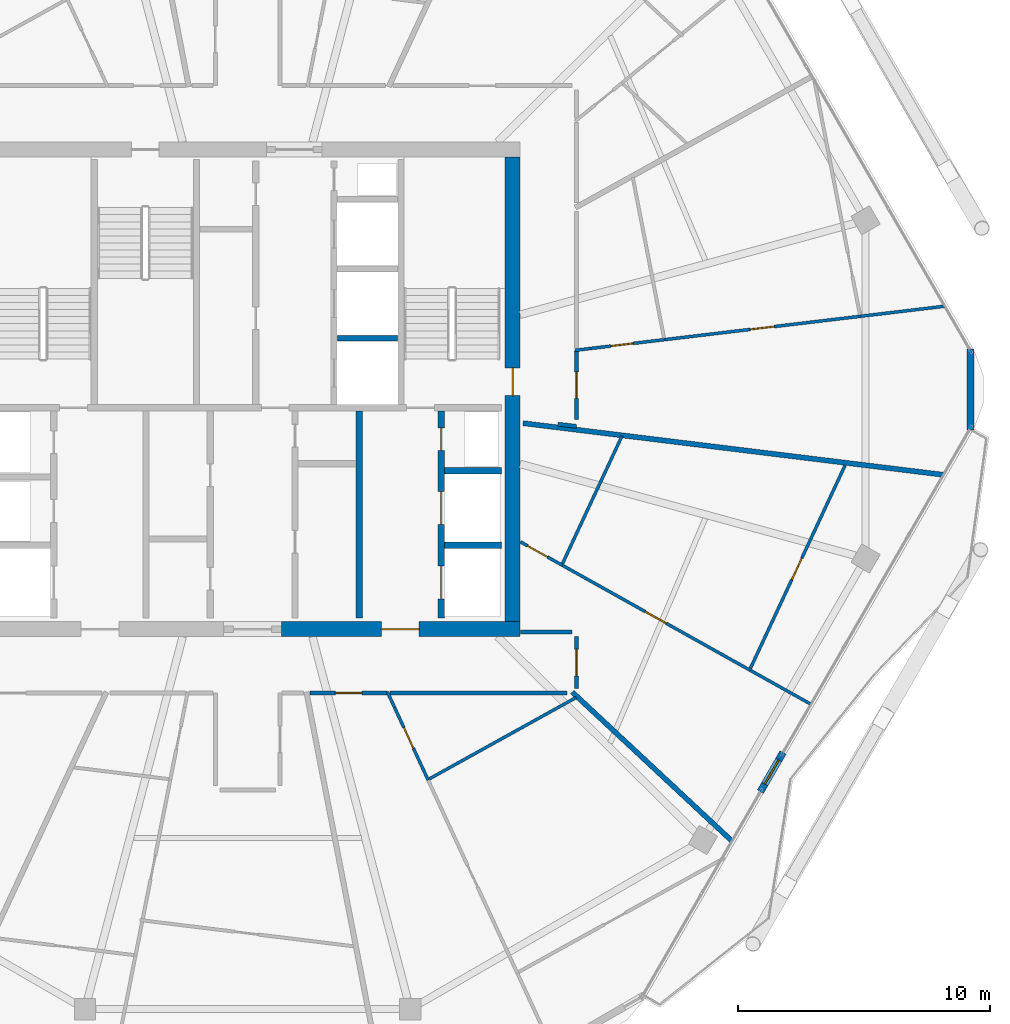
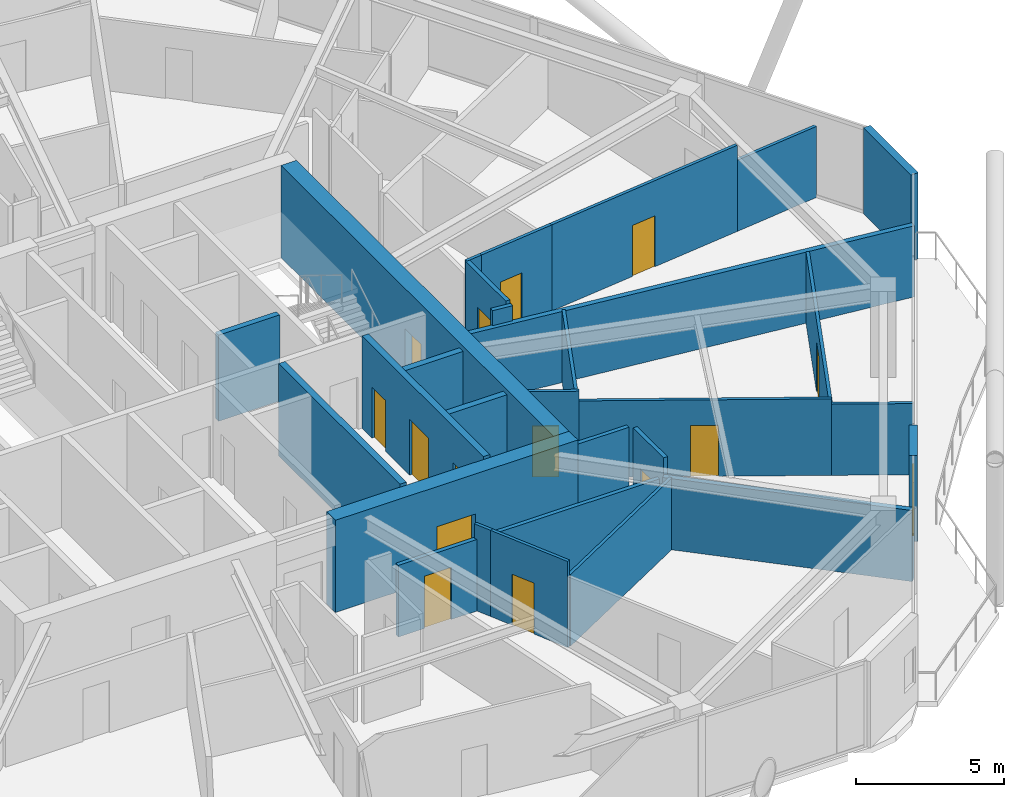
# One storey, part 22 of 29: 29 walls, 15 doors, 15 openings.
"""IFC4 building model written with IfcOpenShell, lengths in metres."""

from ifc_helpers import new_model, si_unit, direction, frame, frame_2d, origin, place, context, subcontext, project, spatial, rectangle, extrude, material, layer, layer_set, type_object, element, fill, save


model = new_model("IFC4")

# Units and contexts
model_context = context("Model", 3, precision=1e-05, world=origin(), true_north=direction((0.0, 1.0)))
body_context = subcontext(model_context, "Body", "Model", "MODEL_VIEW")
ifc_project = project(units=[si_unit("LENGTHUNIT", "METRE"), si_unit("AREAUNIT", "SQUARE_METRE"), si_unit("VOLUMEUNIT", "CUBIC_METRE"), si_unit("PLANEANGLEUNIT", "RADIAN"), si_unit("MASSUNIT", "GRAM", prefix="KILO")], contexts=[model_context])

# Site, building, storey
site_placement = place(None, origin())
site = spatial("IfcSite", under=ifc_project, at=site_placement, CompositionType="ELEMENT")
building_placement = place(site_placement, origin())
building = spatial("IfcBuilding", under=site, at=building_placement, Name="Zuhravey Tower", CompositionType="ELEMENT")
storey_placement = place(building_placement, frame((0.0, 0.0, 269.199951171875)))
storey = spatial("IfcBuildingStorey", under=building, at=storey_placement, Name="L68", CompositionType="ELEMENT", Elevation=269.199951171875)

# Wall, opening, door
ifc_material_1 = material(Name="Concrete C50/60", Category="concrete")
ifc_layer_1 = layer(ifc_material_1, 0.60009765625)
ifc_layer_set_1 = layer_set([ifc_layer_1], Name="Concrete C50/60")
wall_type_1 = type_object("IfcWallType", Name="Core Shear Wall 600", PredefinedType="SHEAR", material=ifc_layer_set_1)
wall_1_placement = place(storey_placement, frame((37.35009765625, 22.5, 0.0), z_axis=(0.0, 0.0, 1.0), x_axis=(1.0, 0.0, 0.0)))
wall_1 = element("IfcWall", 1, at=wall_1_placement, inside=storey, type_object=wall_type_1, Name="L68 South-East Core Shear Wall CW60", PredefinedType="SHEAR", context=body_context, shape_type="SweptSolid", body=[
    extrude(rectangle(XDim=9.449951171875, YDim=0.60009765625, at=frame_2d((4.72509765625, 0.0))), origin(), (0.0, 0.0, 1.0), 3.800048828125),
])
opening_1_placement = place(wall_1_placement, frame((3.949951171875, 0.0, 0.0)))
opening_1 = element("IfcOpeningElement", 2, at=opening_1_placement, cuts=wall_1, Name="Opening FFD1", PredefinedType="OPENING", context=body_context, shape_type="SweptSolid", body=[
    extrude(rectangle(XDim=1.5, YDim=2.14990234375, at=frame_2d((0.75, 1.074951171875))), frame((0.0, 0.31201171875, 0.0), z_axis=(0.0, -1.0, 0.0), x_axis=(1.0, 0.0, 0.0)), (0.0, 0.0, 1.0), 0.6240234375),
])
ifc_material_2 = material(Name="Galvanised fire-rated steel leaf", Category="steel")
door_type_1 = type_object("IfcDoorType", Name="Firefighting Lobby Double Door 1500x2150", OperationType="DOUBLE_DOOR_SINGLE_SWING", PredefinedType="DOOR", material=ifc_material_2)
door_1_placement = place(opening_1_placement, origin())
door_1 = element("IfcDoor", 3, at=door_1_placement, inside=storey, type_object=door_type_1, Name="L68 Firefighting Lobby East Door", OperationType="DOUBLE_DOOR_SINGLE_SWING", OverallHeight=2.14990234375, OverallWidth=1.5, PredefinedType="DOOR", context=body_context, shape_type="SweptSolid", body=[
    extrude(rectangle(XDim=1.5, YDim=2.14990234375, at=frame_2d((0.75, 1.074951171875))), frame((0.0, 0.02490234375, 0.0), z_axis=(0.0, -1.0, 0.0), x_axis=(1.0, 0.0, 0.0)), (0.0, 0.0, 1.0), 0.050048828125),
])
fill(opening_1, door_1)

wall_2_placement = place(storey_placement, frame((46.5, 22.800048828125, 0.0), z_axis=(0.0, 0.0, 1.0), x_axis=(0.0, 1.0, 0.0)))
wall_2 = element("IfcWall", 4, at=wall_2_placement, inside=storey, type_object=wall_type_1, Name="L68 East Core Shear Wall CW60", PredefinedType="SHEAR", context=body_context, shape_type="SweptSolid", body=[
    extrude(rectangle(XDim=18.39990234375, YDim=0.60009765625, at=frame_2d((9.199951171875, 0.0))), origin(), (0.0, 0.0, 1.0), 3.800048828125),
])
opening_2_placement = place(wall_2_placement, frame((8.949951171875, 0.0, 0.0)))
opening_2 = element("IfcOpeningElement", 5, at=opening_2_placement, cuts=wall_2, Name="Opening STD1", PredefinedType="OPENING", context=body_context, shape_type="SweptSolid", body=[
    extrude(rectangle(XDim=1.10009765625, YDim=2.14990234375, at=frame_2d((0.550048828125, 1.074951171875))), frame((0.0, 0.31201171875, 0.0), z_axis=(0.0, -1.0, 0.0), x_axis=(1.0, 0.0, 0.0)), (0.0, 0.0, 1.0), 0.6240234375),
])
door_type_2 = type_object("IfcDoorType", Name="Protected Stair Fire Door 1100x2150", OperationType="NOTDEFINED", PredefinedType="USERDEFINED", material=ifc_material_2)
door_2_placement = place(opening_2_placement, origin())
door_2 = element("IfcDoor", 6, at=door_2_placement, inside=storey, type_object=door_type_2, Name="L68 Stair ST2 Door", ObjectType="EXITDOOR", OperationType="SINGLE_SWING_LEFT", OverallHeight=2.14990234375, OverallWidth=1.10009765625, PredefinedType="USERDEFINED", context=body_context, shape_type="SweptSolid", body=[
    extrude(rectangle(XDim=1.10009765625, YDim=2.14990234375, at=frame_2d((0.550048828125, 1.074951171875))), frame((0.0, 0.02490234375, 0.0), z_axis=(0.0, -1.0, 0.0), x_axis=(1.0, 0.0, 0.0)), (0.0, 0.0, 1.0), 0.050048828125),
])
fill(opening_2, door_2)

ifc_material_3 = material(Name="Gypsum fire-rated stud partition")
ifc_layer_2 = layer(ifc_material_3, 0.159912109375)
ifc_layer_set_2 = layer_set([ifc_layer_2], Name="Gypsum fire-rated stud partition")
wall_type_2 = type_object("IfcWallType", Name="Corridor Fire Partition 160", PredefinedType="PARTITIONING", material=ifc_layer_set_2)
wall_3_placement = place(storey_placement, frame((38.468017578125, 19.969970703125, 0.0), z_axis=(0.0, 0.0, 1.0), x_axis=(1.0, 0.0, 0.0)))
wall_3 = element("IfcWall", 7, at=wall_3_placement, inside=storey, type_object=wall_type_2, Name="L68 IW16 Partition 046", PredefinedType="PARTITIONING", context=body_context, shape_type="SweptSolid", body=[
    extrude(rectangle(XDim=3.068603515625, YDim=0.159912109375, at=frame_2d((1.5341796875, 0.0))), origin(), (0.0, 0.0, 1.0), 2.949951171875),
])
opening_3_placement = place(wall_3_placement, frame((1.00927734375, 0.0, 0.0)))
opening_3 = element("IfcOpeningElement", 8, at=opening_3_placement, cuts=wall_3, Name="Opening APD1", PredefinedType="OPENING", context=body_context, shape_type="SweptSolid", body=[
    extrude(rectangle(XDim=1.050048828125, YDim=2.14990234375, at=frame_2d((0.52490234375, 1.074951171875))), frame((0.0, 0.092041015625, 0.0), z_axis=(0.0, -1.0, 0.0), x_axis=(1.0, 0.0, 0.0)), (0.0, 0.0, 1.0), 0.183837890625),
])
ifc_material_4 = material(Name="Solid-core oak fire-rated leaf")
door_type_3 = type_object("IfcDoorType", Name="Apartment Entrance Fire Door 1050x2150", OperationType="NOTDEFINED", PredefinedType="DOOR", material=ifc_material_4)
door_3_placement = place(opening_3_placement, frame((1.050048828125, 0.0, 0.0), z_axis=(0.0, 0.0, 1.0), x_axis=(-1.0, 0.0, 0.0)))
door_3 = element("IfcDoor", 9, at=door_3_placement, inside=storey, type_object=door_type_3, Name="L68 Door 046.1", OperationType="SINGLE_SWING_LEFT", OverallHeight=2.14990234375, OverallWidth=1.050048828125, PredefinedType="DOOR", context=body_context, shape_type="SweptSolid", body=[
    extrude(rectangle(XDim=1.050048828125, YDim=2.14990234375, at=frame_2d((0.52490234375, 1.074951171875))), frame((0.0, 0.02490234375, 0.0), z_axis=(0.0, -1.0, 0.0), x_axis=(1.0, 0.0, 0.0)), (0.0, 0.0, 1.0), 0.050048828125),
])
fill(opening_3, door_3)

wall_4_placement = place(storey_placement, frame((49.030029296875, 20.14990234375, 0.0), z_axis=(0.0, 0.0, 1.0), x_axis=(0.0, 1.0, 0.0)))
wall_4 = element("IfcWall", 10, at=wall_4_placement, inside=storey, type_object=wall_type_2, Name="L68 IW16 Partition 050", PredefinedType="PARTITIONING", context=body_context, shape_type="SweptSolid", body=[
    extrude(rectangle(XDim=2.050048828125, YDim=0.159912109375, at=frame_2d((1.02490234375, 0.0))), origin(), (0.0, 0.0, 1.0), 3.550048828125),
])
opening_4_placement = place(wall_4_placement, frame((0.5, 0.0, 0.0)))
opening_4 = element("IfcOpeningElement", 11, at=opening_4_placement, cuts=wall_4, Name="Opening APD1", PredefinedType="OPENING", context=body_context, shape_type="SweptSolid", body=[
    extrude(rectangle(XDim=1.050048828125, YDim=2.14990234375, at=frame_2d((0.52490234375, 1.074951171875))), frame((0.0, 0.092041015625, 0.0), z_axis=(0.0, -1.0, 0.0), x_axis=(1.0, 0.0, 0.0)), (0.0, 0.0, 1.0), 0.183837890625),
])
door_4_placement = place(opening_4_placement, frame((1.050048828125, 0.0, 0.0), z_axis=(0.0, 0.0, 1.0), x_axis=(-1.0, 0.0, 0.0)))
door_4 = element("IfcDoor", 12, at=door_4_placement, inside=storey, type_object=door_type_3, Name="L68 Door 050.1", OperationType="SINGLE_SWING_LEFT", OverallHeight=2.14990234375, OverallWidth=1.050048828125, PredefinedType="DOOR", context=body_context, shape_type="SweptSolid", body=[
    extrude(rectangle(XDim=1.050048828125, YDim=2.14990234375, at=frame_2d((0.52490234375, 1.074951171875))), frame((0.0, 0.02490234375, 0.0), z_axis=(0.0, -1.0, 0.0), x_axis=(1.0, 0.0, 0.0)), (0.0, 0.0, 1.0), 0.050048828125),
])
fill(opening_4, door_4)

wall_5_placement = place(storey_placement, frame((49.030029296875, 30.800048828125, 0.0), z_axis=(0.0, 0.0, 1.0), x_axis=(0.0, 1.0, 0.0)))
wall_5 = element("IfcWall", 13, at=wall_5_placement, inside=storey, type_object=wall_type_2, Name="L68 IW16 Partition 054", PredefinedType="PARTITIONING", context=body_context, shape_type="SweptSolid", body=[
    extrude(rectangle(XDim=2.733642578125, YDim=0.159912109375, at=frame_2d((1.36669921875, 0.0))), origin(), (0.0, 0.0, 1.0), 3.550048828125),
])
opening_5_placement = place(wall_5_placement, frame((0.841796875, 0.0, 0.0)))
opening_5 = element("IfcOpeningElement", 14, at=opening_5_placement, cuts=wall_5, Name="Opening APD1", PredefinedType="OPENING", context=body_context, shape_type="SweptSolid", body=[
    extrude(rectangle(XDim=1.050048828125, YDim=2.14990234375, at=frame_2d((0.52490234375, 1.074951171875))), frame((0.0, 0.092041015625, 0.0), z_axis=(0.0, -1.0, 0.0), x_axis=(1.0, 0.0, 0.0)), (0.0, 0.0, 1.0), 0.183837890625),
])
door_5_placement = place(opening_5_placement, frame((1.050048828125, 0.0, 0.0), z_axis=(0.0, 0.0, 1.0), x_axis=(-1.0, 0.0, 0.0)))
door_5 = element("IfcDoor", 15, at=door_5_placement, inside=storey, type_object=door_type_3, Name="L68 Door 054.1", OperationType="SINGLE_SWING_LEFT", OverallHeight=2.14990234375, OverallWidth=1.050048828125, PredefinedType="DOOR", context=body_context, shape_type="SweptSolid", body=[
    extrude(rectangle(XDim=1.050048828125, YDim=2.14990234375, at=frame_2d((0.52490234375, 1.074951171875))), frame((0.0, 0.02490234375, 0.0), z_axis=(0.0, -1.0, 0.0), x_axis=(1.0, 0.0, 0.0)), (0.0, 0.0, 1.0), 0.050048828125),
])
fill(opening_5, door_5)

# Walls
wall_6_placement = place(storey_placement, frame((41.633544921875, 19.969970703125, 0.0), z_axis=(0.0, 0.0, 1.0), x_axis=(1.0, 0.0, 0.0)))
element("IfcWall", 16, at=wall_6_placement, inside=storey, type_object=wall_type_2, Name="L68 IW16 Partition 123", PredefinedType="PARTITIONING", context=body_context, shape_type="SweptSolid", body=[
    extrude(rectangle(XDim=7.014404296875, YDim=0.159912109375, at=frame_2d((3.50732421875, 0.0))), origin(), (0.0, 0.0, 1.0), 2.949951171875),
])
wall_7_placement = place(storey_placement, frame((48.85009765625, 22.3798828125, 0.0), z_axis=(0.0, 0.0, 1.0), x_axis=(-1.0, 0.0, 0.0)))
element("IfcWall", 17, at=wall_7_placement, inside=storey, type_object=wall_type_2, Name="L68 IW16 Partition 124", PredefinedType="PARTITIONING", context=body_context, shape_type="SweptSolid", body=[
    extrude(rectangle(XDim=2.030029296875, YDim=0.159912109375, at=frame_2d((1.01513671875, 0.0))), origin(), (0.0, 0.0, 1.0), 3.550048828125),
])
wall_8_placement = place(storey_placement, frame((49.030029296875, 30.53564453125, 0.0), z_axis=(0.0, 0.0, 1.0), x_axis=(-0.993568487463, 0.113232772287, 0.0)))
element("IfcWall", 18, at=wall_8_placement, inside=storey, type_object=wall_type_2, Name="L68 IW16 Partition 125", PredefinedType="PARTITIONING", context=body_context, shape_type="SweptSolid", body=[
    extrude(rectangle(XDim=0.74609375, YDim=0.159912109375, at=frame_2d((0.373046875, 0.0))), origin(), (0.0, 0.0, 1.0), 3.550048828125),
])

# Wall, opening, door
ifc_material_5 = material(Name="Precast concrete C40/50", Category="concrete")
ifc_layer_3 = layer(ifc_material_5, 0.280029296875)
ifc_layer_set_3 = layer_set([ifc_layer_3], Name="Precast concrete C40/50")
wall_type_3 = type_object("IfcWallType", Name="Crown Architectural Wall 280", PredefinedType="SOLIDWALL", material=ifc_layer_set_3)
wall_9_placement = place(storey_placement, frame((57.21240234375, 17.613525390625, 0.0), z_axis=(0.0, 0.0, 1.0), x_axis=(-0.499982180423, -0.866035691677, 0.0)))
wall_9 = element("IfcWall", 19, at=wall_9_placement, inside=storey, type_object=wall_type_3, Name="L68 Face 6 Facade Pier EW28-1", PredefinedType="SOLIDWALL", context=body_context, shape_type="SweptSolid", body=[
    extrude(rectangle(XDim=1.7900390625, YDim=0.280029296875, at=frame_2d((0.89501953125, 0.0))), origin(), (0.0, 0.0, 1.0), 3.550048828125),
])
opening_6_placement = place(wall_9_placement, frame((0.344970703125, 0.0, 0.0)))
opening_6 = element("IfcOpeningElement", 20, at=opening_6_placement, cuts=wall_9, Name="Opening BLD1", PredefinedType="OPENING", context=body_context, shape_type="SweptSolid", body=[
    extrude(rectangle(XDim=1.10009765625, YDim=2.199951171875, at=frame_2d((0.550048828125, 1.10009765625))), frame((0.0, 0.152099609375, 0.0), z_axis=(0.0, -1.0, 0.0), x_axis=(1.0, 0.0, 0.0)), (0.0, 0.0, 1.0), 0.303955078125),
])
ifc_material_6 = material(Name="Thermally broken aluminium and low-E glass", Category="aluminium")
door_type_4 = type_object("IfcDoorType", Name="Balcony & Sky-Tray Glazed Door 1100x2200", OperationType="NOTDEFINED", PredefinedType="DOOR", material=ifc_material_6)
door_6_placement = place(opening_6_placement, frame((1.10009765625, 0.0, 0.0), z_axis=(0.0, 0.0, 1.0), x_axis=(-1.0, 0.0, 0.0)))
door_6 = element("IfcDoor", 21, at=door_6_placement, inside=storey, type_object=door_type_4, Name="L68 Face 6 Wave Balcony Door", OperationType="SINGLE_SWING_LEFT", OverallHeight=2.199951171875, OverallWidth=1.10009765625, PredefinedType="DOOR", context=body_context, shape_type="SweptSolid", body=[
    extrude(rectangle(XDim=1.10009765625, YDim=2.199951171875, at=frame_2d((0.550048828125, 1.10009765625))), frame((0.0, 0.02490234375, 0.0), z_axis=(0.0, -1.0, 0.0), x_axis=(1.0, 0.0, 0.0)), (0.0, 0.0, 1.0), 0.050048828125),
])
fill(opening_6, door_6)

# Walls
wall_10_placement = place(storey_placement, frame((64.64501953125, 33.607421875, 0.0), z_axis=(0.0, 0.0, 1.0), x_axis=(0.0, -1.0, 0.0)))
element("IfcWall", 22, at=wall_10_placement, inside=storey, type_object=wall_type_3, Name="L68 Rounded Corner Closure Wall EW28-12", PredefinedType="SOLIDWALL", context=body_context, shape_type="SweptSolid", body=[
    extrude(rectangle(XDim=3.21484375, YDim=0.280029296875, at=frame_2d((1.607421875, 0.0))), origin(), (0.0, 0.0, 1.0), 3.550048828125),
])
ifc_layer_4 = layer(ifc_material_1, 0.25)
ifc_layer_set_4 = layer_set([ifc_layer_4], Name="Concrete C50/60")
wall_type_4 = type_object("IfcWallType", Name="Firefighting Shaft & Stair Wall 250", PredefinedType="SOLIDWALL", material=ifc_layer_set_4)
wall_11_placement = place(storey_placement, frame((40.425048828125, 22.949951171875, 0.0), z_axis=(0.0, 0.0, 1.0), x_axis=(0.0, 1.0, 0.0)))
element("IfcWall", 23, at=wall_11_placement, inside=storey, type_object=wall_type_4, Name="L68 FW25 Shaft Wall 017", PredefinedType="SOLIDWALL", context=body_context, shape_type="SweptSolid", body=[
    extrude(rectangle(XDim=8.199951171875, YDim=0.25, at=frame_2d((4.10009765625, 0.0))), origin(), (0.0, 0.0, 1.0), 3.800048828125),
])
for number, where, z_axis, x_axis, name in (
    (24, (43.800048828125, 25.824951171875, 0.0), (0.0, 0.0, 1.0), (1.0, 0.0, 0.0), "L68 FW25 Shaft Wall 018"),
    (25, (43.800048828125, 28.77490234375, 0.0), (0.0, 0.0, 1.0), (1.0, 0.0, 0.0), "L68 FW25 Shaft Wall 019"),
):
    element("IfcWall", number, at=place(storey_placement, frame(where, z_axis=z_axis, x_axis=x_axis)), inside=storey, type_object=wall_type_4, Name=name, PredefinedType="SOLIDWALL", context=body_context, shape_type="SweptSolid", body=[
        extrude(rectangle(XDim=2.25, YDim=0.25, at=frame_2d((1.125, 0.0))), origin(), (0.0, 0.0, 1.0), 3.800048828125),
    ])

# Wall, openings, doors
wall_12_placement = place(storey_placement, frame((43.675048828125, 22.949951171875, 0.0), z_axis=(0.0, 0.0, 1.0), x_axis=(0.0, 1.0, 0.0)))
wall_12 = element("IfcWall", 26, at=wall_12_placement, inside=storey, type_object=wall_type_4, Name="L68 FW25 Shaft Wall 020", PredefinedType="SOLIDWALL", context=body_context, shape_type="SweptSolid", body=[
    extrude(rectangle(XDim=8.199951171875, YDim=0.25, at=frame_2d((4.10009765625, 0.0))), origin(), (0.0, 0.0, 1.0), 3.800048828125),
])
opening_7_placement = place(wall_12_placement, frame((0.75, 0.0, 0.0)))
opening_7 = element("IfcOpeningElement", 27, at=opening_7_placement, cuts=wall_12, Name="Opening LD2", PredefinedType="OPENING", context=body_context, shape_type="SweptSolid", body=[
    extrude(rectangle(XDim=1.300048828125, YDim=2.300048828125, at=frame_2d((0.64990234375, 1.14990234375))), frame((0.0, 0.136962890625, 0.0), z_axis=(0.0, -1.0, 0.0), x_axis=(1.0, 0.0, 0.0)), (0.0, 0.0, 1.0), 0.27392578125),
])
opening_8_placement = place(wall_12_placement, frame((3.699951171875, 0.0, 0.0)))
opening_8 = element("IfcOpeningElement", 28, at=opening_8_placement, cuts=wall_12, Name="Opening LD2", PredefinedType="OPENING", context=body_context, shape_type="SweptSolid", body=[
    extrude(rectangle(XDim=1.300048828125, YDim=2.300048828125, at=frame_2d((0.64990234375, 1.14990234375))), frame((0.0, 0.136962890625, 0.0), z_axis=(0.0, -1.0, 0.0), x_axis=(1.0, 0.0, 0.0)), (0.0, 0.0, 1.0), 0.27392578125),
])
opening_9_placement = place(wall_12_placement, frame((6.6201171875, 0.0, 0.0)))
opening_9 = element("IfcOpeningElement", 29, at=opening_9_placement, cuts=wall_12, Name="Opening RSD1", PredefinedType="OPENING", context=body_context, shape_type="SweptSolid", body=[
    extrude(rectangle(XDim=0.89990234375, YDim=2.10009765625, at=frame_2d((0.449951171875, 1.050048828125))), frame((0.0, 0.136962890625, 0.0), z_axis=(0.0, -1.0, 0.0), x_axis=(1.0, 0.0, 0.0)), (0.0, 0.0, 1.0), 0.27392578125),
])
ifc_material_7 = material(Name="Brushed stainless steel", Category="steel")
door_type_5 = type_object("IfcDoorType", Name="Freight & Stretcher Lift Sliding Door 1300x2300", OperationType="DOUBLE_DOOR_SLIDING", PredefinedType="DOOR", material=ifc_material_7)
door_7_placement = place(opening_7_placement, origin())
door_7 = element("IfcDoor", 30, at=door_7_placement, inside=storey, type_object=door_type_5, Name="L68 Lift FF2 Landing Door", OperationType="DOUBLE_DOOR_SLIDING", OverallHeight=2.300048828125, OverallWidth=1.300048828125, PredefinedType="DOOR", context=body_context, shape_type="SweptSolid", body=[
    extrude(rectangle(XDim=1.300048828125, YDim=2.300048828125, at=frame_2d((0.64990234375, 1.14990234375))), frame((0.0, 0.02490234375, 0.0), z_axis=(0.0, -1.0, 0.0), x_axis=(1.0, 0.0, 0.0)), (0.0, 0.0, 1.0), 0.050048828125),
])
fill(opening_7, door_7)
door_8_placement = place(opening_8_placement, origin())
door_8 = element("IfcDoor", 31, at=door_8_placement, inside=storey, type_object=door_type_5, Name="L68 Lift SV1 Landing Door", OperationType="DOUBLE_DOOR_SLIDING", OverallHeight=2.300048828125, OverallWidth=1.300048828125, PredefinedType="DOOR", context=body_context, shape_type="SweptSolid", body=[
    extrude(rectangle(XDim=1.300048828125, YDim=2.300048828125, at=frame_2d((0.64990234375, 1.14990234375))), frame((0.0, 0.02490234375, 0.0), z_axis=(0.0, -1.0, 0.0), x_axis=(1.0, 0.0, 0.0)), (0.0, 0.0, 1.0), 0.050048828125),
])
fill(opening_8, door_8)
ifc_material_8 = material(Name="Galvanised fire-rated steel access leaf", Category="steel")
door_type_6 = type_object("IfcDoorType", Name="Riser & Shaft Access Fire Door 900x2100", OperationType="NOTDEFINED", PredefinedType="DOOR", material=ifc_material_8)
door_9_placement = place(opening_9_placement, origin())
door_9 = element("IfcDoor", 32, at=door_9_placement, inside=storey, type_object=door_type_6, Name="L68 Plumbing Riser Door", OperationType="SINGLE_SWING_LEFT", OverallHeight=2.10009765625, OverallWidth=0.89990234375, PredefinedType="DOOR", context=body_context, shape_type="SweptSolid", body=[
    extrude(rectangle(XDim=0.89990234375, YDim=2.10009765625, at=frame_2d((0.449951171875, 1.050048828125))), frame((0.0, 0.02490234375, 0.0), z_axis=(0.0, -1.0, 0.0), x_axis=(1.0, 0.0, 0.0)), (0.0, 0.0, 1.0), 0.050048828125),
])
fill(opening_9, door_9)

# Walls
ifc_material_9 = material(Name="Gypsum double-stud party assembly")
ifc_layer_5 = layer(ifc_material_9, 0.199951171875)
ifc_layer_set_5 = layer_set([ifc_layer_5], Name="Gypsum double-stud party assembly")
wall_type_5 = type_object("IfcWallType", Name="Inter-Tenancy Party Wall 200", PredefinedType="PARTITIONING", material=ifc_layer_set_5)
wall_13_placement = place(storey_placement, frame((48.857421875, 20.010498046875, 0.0), z_axis=(0.0, 0.0, 1.0), x_axis=(0.731342217011, -0.682010675589, 0.0)))
element("IfcWall", 33, at=wall_13_placement, inside=storey, type_object=wall_type_5, Name="L68 IW20 Partition 094", PredefinedType="PARTITIONING", context=body_context, shape_type="SweptSolid", body=[
    extrude(rectangle(XDim=8.65576171875, YDim=0.199951171875, at=frame_2d((4.327880859375, 0.0))), origin(), (0.0, 0.0, 1.0), 2.929931640625),
])
wall_14_placement = place(storey_placement, frame((46.913330078125, 30.659912109375, 0.0), z_axis=(0.0, 0.0, 1.0), x_axis=(0.992546420308, -0.121867155269, 0.0)))
element("IfcWall", 34, at=wall_14_placement, inside=storey, type_object=wall_type_5, Name="L68 IW20 Partition 097", PredefinedType="PARTITIONING", context=body_context, shape_type="SweptSolid", body=[
    extrude(rectangle(XDim=16.77587890625, YDim=0.199951171875, at=frame_2d((8.387939453125, 0.0))), origin(), (0.0, 0.0, 1.0), 2.929931640625),
])
ifc_material_10 = material(Name="Gypsum acoustic stud assembly")
ifc_layer_6 = layer(ifc_material_10, 0.219970703125)
ifc_layer_set_6 = layer_set([ifc_layer_6], Name="Gypsum acoustic stud assembly")
wall_type_6 = type_object("IfcWallType", Name="School Acoustic Compartment Wall 220", PredefinedType="PARTITIONING", material=ifc_layer_set_6)
wall_15_placement = place(storey_placement, frame((39.55810546875, 34.02490234375, 0.0), z_axis=(0.0, 0.0, 1.0), x_axis=(1.0, 0.0, 0.0)))
element("IfcWall", 35, at=wall_15_placement, inside=storey, type_object=wall_type_6, Name="L68 IW22 Partition 071", PredefinedType="PARTITIONING", context=body_context, shape_type="SweptSolid", body=[
    extrude(rectangle(XDim=2.3837890625, YDim=0.219970703125, at=frame_2d((1.19189453125, 0.0))), origin(), (0.0, 0.0, 1.0), 3.550048828125),
])

# Wall, opening, door
ifc_material_11 = material(Name="Gypsum metal-stud partition")
ifc_layer_7 = layer(ifc_material_11, 0.1201171875)
ifc_layer_set_7 = layer_set([ifc_layer_7], Name="Gypsum metal-stud partition")
wall_type_7 = type_object("IfcWallType", Name="Unit Internal Partition 120", PredefinedType="PARTITIONING", material=ifc_layer_set_7)
wall_16_placement = place(storey_placement, frame((41.822021484375, 19.39990234375, 0.0), z_axis=(0.0, 0.0, 1.0), x_axis=(0.419438119549, -0.907783930167, 0.0)))
wall_16 = element("IfcWall", 36, at=wall_16_placement, inside=storey, type_object=wall_type_7, Name="L68 IW12 Partition 043", PredefinedType="PARTITIONING", context=body_context, shape_type="SweptSolid", body=[
    extrude(rectangle(XDim=3.177978515625, YDim=0.1201171875, at=frame_2d((1.5888671875, 0.0))), origin(), (0.0, 0.0, 1.0), 3.550048828125),
])
opening_10_placement = place(wall_16_placement, frame((0.884765625, 0.0, 0.0)))
opening_10 = element("IfcOpeningElement", 37, at=opening_10_placement, cuts=wall_16, Name="Opening WCD1", PredefinedType="OPENING", context=body_context, shape_type="SweptSolid", body=[
    extrude(rectangle(XDim=0.89990234375, YDim=2.10009765625, at=frame_2d((0.449951171875, 1.050048828125))), frame((0.0, 0.072021484375, 0.0), z_axis=(0.0, -1.0, 0.0), x_axis=(1.0, 0.0, 0.0)), (0.0, 0.0, 1.0), 0.14404296875),
])
ifc_material_12 = material(Name="Moisture-resistant timber leaf", Category="wood")
door_type_7 = type_object("IfcDoorType", Name="Bathroom & WC Internal Door 900x2100", OperationType="NOTDEFINED", PredefinedType="DOOR", material=ifc_material_12)
door_10_placement = place(opening_10_placement, origin())
door_10 = element("IfcDoor", 38, at=door_10_placement, inside=storey, type_object=door_type_7, Name="Apartment L68-05 Bathroom Door", OperationType="SINGLE_SWING_RIGHT", OverallHeight=2.10009765625, OverallWidth=0.89990234375, PredefinedType="DOOR", context=body_context, shape_type="SweptSolid", body=[
    extrude(rectangle(XDim=0.89990234375, YDim=2.10009765625, at=frame_2d((0.449951171875, 1.050048828125))), frame((0.0, 0.02490234375, 0.0), z_axis=(0.0, -1.0, 0.0), x_axis=(1.0, 0.0, 0.0)), (0.0, 0.0, 1.0), 0.050048828125),
])
fill(opening_10, door_10)

wall_17_placement = place(storey_placement, frame((46.80810546875, 25.959716796875, 0.0), z_axis=(0.0, 0.0, 1.0), x_axis=(0.872879297485, -0.487936196672, 0.0)))
wall_17 = element("IfcWall", 39, at=wall_17_placement, inside=storey, type_object=wall_type_7, Name="L68 IW12 Partition 047", PredefinedType="PARTITIONING", context=body_context, shape_type="SweptSolid", body=[
    extrude(rectangle(XDim=1.90576171875, YDim=0.1201171875, at=frame_2d((0.952880859375, 0.0))), origin(), (0.0, 0.0, 1.0), 3.550048828125),
])
opening_11_placement = place(wall_17_placement, frame((0.32861328125, 0.0, 0.0)))
opening_11 = element("IfcOpeningElement", 40, at=opening_11_placement, cuts=wall_17, Name="Opening WCD1", PredefinedType="OPENING", context=body_context, shape_type="SweptSolid", body=[
    extrude(rectangle(XDim=0.89990234375, YDim=2.10009765625, at=frame_2d((0.449951171875, 1.050048828125))), frame((0.0, 0.072021484375, 0.0), z_axis=(0.0, -1.0, 0.0), x_axis=(1.0, 0.0, 0.0)), (0.0, 0.0, 1.0), 0.14404296875),
])
door_11_placement = place(opening_11_placement, origin())
door_11 = element("IfcDoor", 41, at=door_11_placement, inside=storey, type_object=door_type_7, Name="Apartment L68-06 Bathroom Door", OperationType="SINGLE_SWING_RIGHT", OverallHeight=2.10009765625, OverallWidth=0.89990234375, PredefinedType="DOOR", context=body_context, shape_type="SweptSolid", body=[
    extrude(rectangle(XDim=0.89990234375, YDim=2.10009765625, at=frame_2d((0.449951171875, 1.050048828125))), frame((0.0, 0.02490234375, 0.0), z_axis=(0.0, -1.0, 0.0), x_axis=(1.0, 0.0, 0.0)), (0.0, 0.0, 1.0), 0.050048828125),
])
fill(opening_11, door_11)

wall_18_placement = place(storey_placement, frame((48.4716796875, 25.02978515625, 0.0), z_axis=(0.0, 0.0, 1.0), x_axis=(0.872916935633, -0.487868858901, 0.0)))
wall_18 = element("IfcWall", 42, at=wall_18_placement, inside=storey, type_object=wall_type_7, Name="L68 IW12 Partition 048", PredefinedType="PARTITIONING", context=body_context, shape_type="SweptSolid", body=[
    extrude(rectangle(XDim=8.524169921875, YDim=0.1201171875, at=frame_2d((4.26220703125, 0.0))), origin(), (0.0, 0.0, 1.0), 3.150146484375),
])
opening_12_placement = place(wall_18_placement, frame((3.761962890625, 0.0, 0.0)))
opening_12 = element("IfcOpeningElement", 43, at=opening_12_placement, cuts=wall_18, Name="Opening IND1", PredefinedType="OPENING", context=body_context, shape_type="SweptSolid", body=[
    extrude(rectangle(XDim=0.949951171875, YDim=2.10009765625, at=frame_2d((0.47509765625, 1.050048828125))), frame((0.0, 0.072021484375, 0.0), z_axis=(0.0, -1.0, 0.0), x_axis=(1.0, 0.0, 0.0)), (0.0, 0.0, 1.0), 0.14404296875),
])
ifc_material_13 = material(Name="Painted engineered timber leaf", Category="wood")
door_type_8 = type_object("IfcDoorType", Name="Internal Room & Bedroom Door 950x2100", OperationType="NOTDEFINED", PredefinedType="DOOR", material=ifc_material_13)
door_12_placement = place(opening_12_placement, origin())
door_12 = element("IfcDoor", 44, at=door_12_placement, inside=storey, type_object=door_type_8, Name="Apartment L68-06 Home Office Door", OperationType="SINGLE_SWING_LEFT", OverallHeight=2.10009765625, OverallWidth=0.949951171875, PredefinedType="DOOR", context=body_context, shape_type="SweptSolid", body=[
    extrude(rectangle(XDim=0.949951171875, YDim=2.10009765625, at=frame_2d((0.47509765625, 1.050048828125))), frame((0.0, 0.02490234375, 0.0), z_axis=(0.0, -1.0, 0.0), x_axis=(1.0, 0.0, 0.0)), (0.0, 0.0, 1.0), 0.050048828125),
])
fill(opening_12, door_12)

wall_19_placement = place(storey_placement, frame((55.919677734375, 20.9453125, 0.0), z_axis=(0.0, 0.0, 1.0), x_axis=(0.422606705523, 0.9063131757, 0.0)))
wall_19 = element("IfcWall", 45, at=wall_19_placement, inside=storey, type_object=wall_type_7, Name="L68 IW12 Partition 049", PredefinedType="PARTITIONING", context=body_context, shape_type="SweptSolid", body=[
    extrude(rectangle(XDim=8.87060546875, YDim=0.1201171875, at=frame_2d((4.435302734375, 0.0))), origin(), (0.0, 0.0, 1.0), 2.949951171875),
])
opening_13_placement = place(wall_19_placement, frame((3.876220703125, 0.0, 0.0)))
opening_13 = element("IfcOpeningElement", 46, at=opening_13_placement, cuts=wall_19, Name="Opening IND1", PredefinedType="OPENING", context=body_context, shape_type="SweptSolid", body=[
    extrude(rectangle(XDim=0.949951171875, YDim=2.10009765625, at=frame_2d((0.47509765625, 1.050048828125))), frame((0.0, 0.072021484375, 0.0), z_axis=(0.0, -1.0, 0.0), x_axis=(1.0, 0.0, 0.0)), (0.0, 0.0, 1.0), 0.14404296875),
])
door_13_placement = place(opening_13_placement, frame((0.949951171875, 0.0, 0.0), z_axis=(0.0, 0.0, 1.0), x_axis=(-1.0, 0.0, 0.0)))
door_13 = element("IfcDoor", 47, at=door_13_placement, inside=storey, type_object=door_type_8, Name="Apartment L68-06 Bedroom 1 Door", OperationType="SINGLE_SWING_RIGHT", OverallHeight=2.10009765625, OverallWidth=0.949951171875, PredefinedType="DOOR", context=body_context, shape_type="SweptSolid", body=[
    extrude(rectangle(XDim=0.949951171875, YDim=2.10009765625, at=frame_2d((0.47509765625, 1.050048828125))), frame((0.0, 0.02490234375, 0.0), z_axis=(0.0, -1.0, 0.0), x_axis=(1.0, 0.0, 0.0)), (0.0, 0.0, 1.0), 0.050048828125),
])
fill(opening_13, door_13)

wall_20_placement = place(storey_placement, frame((49.60009765625, 33.62158203125, 0.0), z_axis=(0.0, 0.0, 1.0), x_axis=(0.992962166998, 0.11843198432, 0.0)))
wall_20 = element("IfcWall", 48, at=wall_20_placement, inside=storey, type_object=wall_type_7, Name="L68 IW12 Partition 051", PredefinedType="PARTITIONING", context=body_context, shape_type="SweptSolid", body=[
    extrude(rectangle(XDim=2.9560546875, YDim=0.1201171875, at=frame_2d((1.47802734375, 0.0))), origin(), (0.0, 0.0, 1.0), 3.550048828125),
])
opening_14_placement = place(wall_20_placement, frame((0.79150390625, 0.0, 0.0)))
opening_14 = element("IfcOpeningElement", 49, at=opening_14_placement, cuts=wall_20, Name="Opening WCD1", PredefinedType="OPENING", context=body_context, shape_type="SweptSolid", body=[
    extrude(rectangle(XDim=0.89990234375, YDim=2.10009765625, at=frame_2d((0.449951171875, 1.050048828125))), frame((0.0, 0.072021484375, 0.0), z_axis=(0.0, -1.0, 0.0), x_axis=(1.0, 0.0, 0.0)), (0.0, 0.0, 1.0), 0.14404296875),
])
door_14_placement = place(opening_14_placement, origin())
door_14 = element("IfcDoor", 50, at=door_14_placement, inside=storey, type_object=door_type_7, Name="Apartment L68-07 Bathroom Door", OperationType="SINGLE_SWING_RIGHT", OverallHeight=2.10009765625, OverallWidth=0.89990234375, PredefinedType="DOOR", context=body_context, shape_type="SweptSolid", body=[
    extrude(rectangle(XDim=0.89990234375, YDim=2.10009765625, at=frame_2d((0.449951171875, 1.050048828125))), frame((0.0, 0.02490234375, 0.0), z_axis=(0.0, -1.0, 0.0), x_axis=(1.0, 0.0, 0.0)), (0.0, 0.0, 1.0), 0.050048828125),
])
fill(opening_14, door_14)

wall_21_placement = place(storey_placement, frame((52.535400390625, 33.9716796875, 0.0), z_axis=(0.0, 0.0, 1.0), x_axis=(0.992965116169, 0.118407255145, 0.0)))
wall_21 = element("IfcWall", 51, at=wall_21_placement, inside=storey, type_object=wall_type_7, Name="L68 IW12 Partition 052", PredefinedType="PARTITIONING", context=body_context, shape_type="SweptSolid", body=[
    extrude(rectangle(XDim=7.814453125, YDim=0.1201171875, at=frame_2d((3.9072265625, 0.0))), origin(), (0.0, 0.0, 1.0), 3.550048828125),
])
opening_15_placement = place(wall_21_placement, frame((3.4072265625, 0.0, 0.0)))
opening_15 = element("IfcOpeningElement", 52, at=opening_15_placement, cuts=wall_21, Name="Opening IND1", PredefinedType="OPENING", context=body_context, shape_type="SweptSolid", body=[
    extrude(rectangle(XDim=0.949951171875, YDim=2.10009765625, at=frame_2d((0.47509765625, 1.050048828125))), frame((0.0, 0.072021484375, 0.0), z_axis=(0.0, -1.0, 0.0), x_axis=(1.0, 0.0, 0.0)), (0.0, 0.0, 1.0), 0.14404296875),
])
door_15_placement = place(opening_15_placement, origin())
door_15 = element("IfcDoor", 53, at=door_15_placement, inside=storey, type_object=door_type_8, Name="Apartment L68-07 Home Office Door", OperationType="SINGLE_SWING_LEFT", OverallHeight=2.10009765625, OverallWidth=0.949951171875, PredefinedType="DOOR", context=body_context, shape_type="SweptSolid", body=[
    extrude(rectangle(XDim=0.949951171875, YDim=2.10009765625, at=frame_2d((0.47509765625, 1.050048828125))), frame((0.0, 0.02490234375, 0.0), z_axis=(0.0, -1.0, 0.0), x_axis=(1.0, 0.0, 0.0)), (0.0, 0.0, 1.0), 0.050048828125),
])
fill(opening_15, door_15)

# Walls
wall_22_placement = place(storey_placement, frame((41.538818359375, 20.0126953125, 0.0), z_axis=(0.0, 0.0, 1.0), x_axis=(0.419516805105, -0.907747569666, 0.0)))
element("IfcWall", 54, at=wall_22_placement, inside=storey, type_object=wall_type_7, Name="L68 IW12 Partition 091", PredefinedType="PARTITIONING", context=body_context, shape_type="SweptSolid", body=[
    extrude(rectangle(XDim=0.675048828125, YDim=0.1201171875, at=frame_2d((0.33740234375, 0.0))), origin(), (0.0, 0.0, 1.0), 3.550048828125),
])
wall_23_placement = place(storey_placement, frame((43.2041015625, 16.57080078125, 0.0), z_axis=(0.0, 0.0, 1.0), x_axis=(0.874626847506, 0.48479673846, 0.0)))
element("IfcWall", 55, at=wall_23_placement, inside=storey, type_object=wall_type_7, Name="L68 IW12 Partition 093", PredefinedType="PARTITIONING", context=body_context, shape_type="SweptSolid", body=[
    extrude(rectangle(XDim=6.640380859375, YDim=0.1201171875, at=frame_2d((3.3203125, 0.0))), origin(), (0.0, 0.0, 1.0), 2.949951171875),
])
wall_24_placement = place(storey_placement, frame((55.91259765625, 20.87109375, 0.0), z_axis=(0.0, 0.0, 1.0), x_axis=(0.872940157906, -0.487827306242, 0.0)))
element("IfcWall", 56, at=wall_24_placement, inside=storey, type_object=wall_type_7, Name="L68 IW12 Partition 095", PredefinedType="PARTITIONING", context=body_context, shape_type="SweptSolid", body=[
    extrude(rectangle(XDim=2.759521484375, YDim=0.1201171875, at=frame_2d((1.3798828125, 0.0))), origin(), (0.0, 0.0, 1.0), 2.929931640625),
])
wall_25_placement = place(storey_placement, frame((48.478759765625, 25.103759765625, 0.0), z_axis=(0.0, 0.0, 1.0), x_axis=(0.422623708153, 0.906305247313, 0.0)))
element("IfcWall", 57, at=wall_25_placement, inside=storey, type_object=wall_type_7, Name="L68 IW12 Partition 096", PredefinedType="PARTITIONING", context=body_context, shape_type="SweptSolid", body=[
    extrude(rectangle(XDim=5.56591796875, YDim=0.1201171875, at=frame_2d((2.782958984375, 0.0))), origin(), (0.0, 0.0, 1.0), 2.949951171875),
])
wall_26_placement = place(storey_placement, frame((48.985107421875, 33.54833984375, 0.0), z_axis=(0.0, 0.0, 1.0), x_axis=(0.992982764492, 0.118259162107, 0.0)))
element("IfcWall", 58, at=wall_26_placement, inside=storey, type_object=wall_type_7, Name="L68 IW12 Partition 098", PredefinedType="PARTITIONING", context=body_context, shape_type="SweptSolid", body=[
    extrude(rectangle(XDim=0.619384765625, YDim=0.1201171875, at=frame_2d((0.3095703125, 0.0))), origin(), (0.0, 0.0, 1.0), 3.550048828125),
])
wall_27_placement = place(storey_placement, frame((60.294921875, 34.89697265625, 0.0), z_axis=(0.0, 0.0, 1.0), x_axis=(0.992966251005, 0.118397738005, 0.0)))
element("IfcWall", 59, at=wall_27_placement, inside=storey, type_object=wall_type_7, Name="L68 IW12 Partition 099", PredefinedType="PARTITIONING", context=body_context, shape_type="SweptSolid", body=[
    extrude(rectangle(XDim=3.3486328125, YDim=0.1201171875, at=frame_2d((1.67431640625, 0.0))), origin(), (0.0, 0.0, 1.0), 2.929931640625),
])

save(model, "model.ifc")
